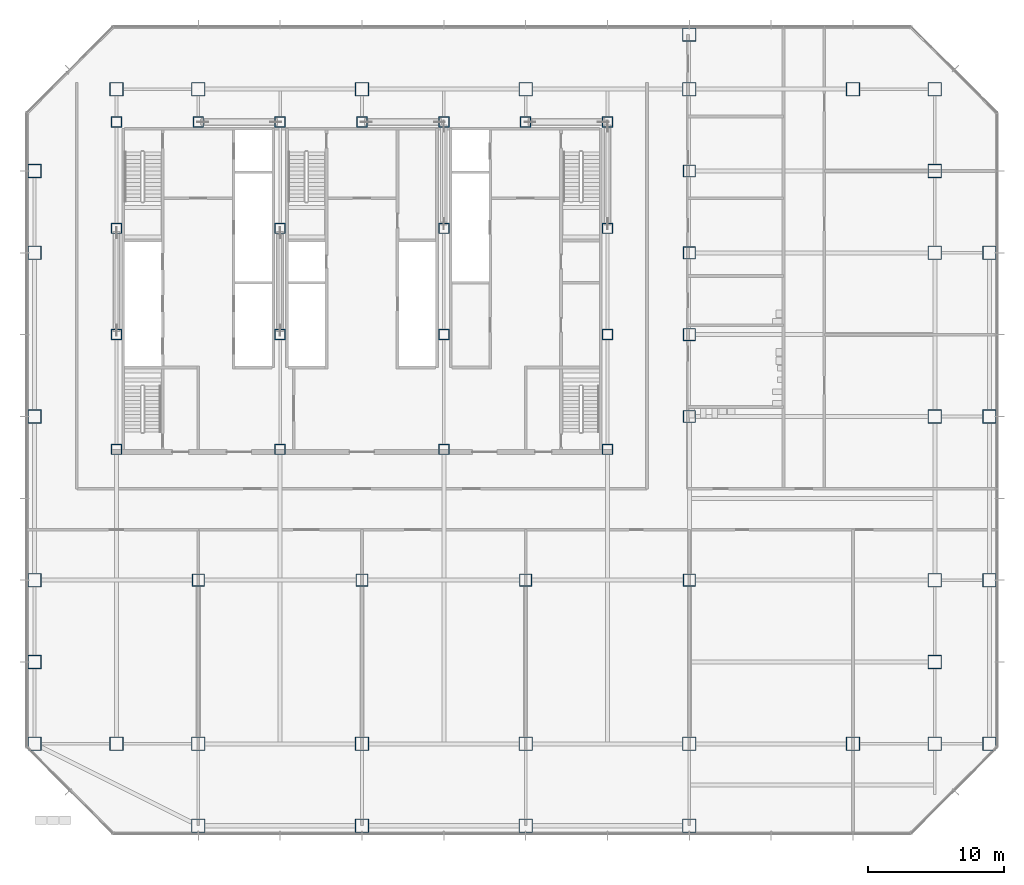
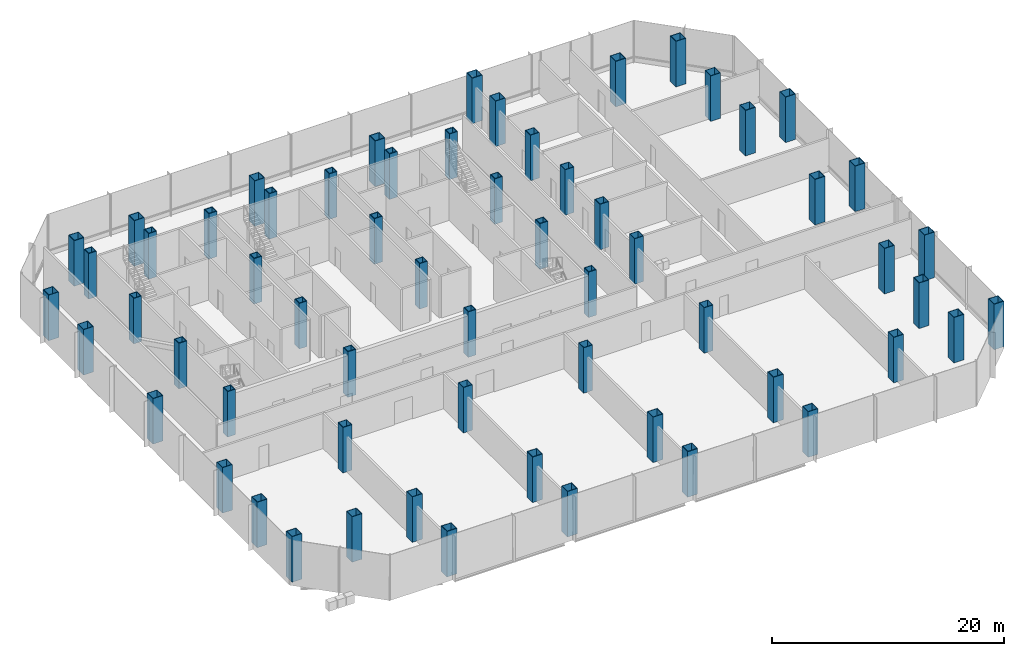
# One storey, part 1 of 33: 61 columns.
"""IFC4 building model written with IfcOpenShell, lengths in metres."""

from ifc_helpers import new_model, si_unit, direction, frame, origin, origin_2d, place, context, subcontext, project, spatial, hollow_rectangle, extrude, material, material_profile, profile_set, type_object, element, save


model = new_model("IFC4")

# Units and contexts
model_context = context("Model", 3, precision=1e-05, world=origin(), true_north=direction((0.0, 1.0)))
body_context = subcontext(model_context, "Body", "Model", "MODEL_VIEW")
ifc_project = project(units=[si_unit("LENGTHUNIT", "METRE"), si_unit("AREAUNIT", "SQUARE_METRE"), si_unit("VOLUMEUNIT", "CUBIC_METRE"), si_unit("PLANEANGLEUNIT", "RADIAN"), si_unit("MASSUNIT", "GRAM", prefix="KILO")], contexts=[model_context])

# Site, building, storey
site_placement = place(None, origin())
site = spatial("IfcSite", under=ifc_project, at=site_placement, CompositionType="ELEMENT")
building_placement = place(site_placement, origin())
building = spatial("IfcBuilding", under=site, at=building_placement, Name="Sorahane Residences", CompositionType="ELEMENT")
storey_placement = place(building_placement, frame((0.0, 0.0, 34.800048828125)))
storey = spatial("IfcBuildingStorey", under=building, at=storey_placement, Name="L05", CompositionType="ELEMENT", Elevation=34.800048828125)

# Columns
ifc_material_1 = material(Name="Steel Q420GJ", Category="steel")
ifc_material_profile_1 = material_profile(ifc_material_1, hollow_rectangle(XDim=1.0, YDim=1.0, WallThickness=0.050048828125, at=origin_2d()), Name="BOX 1000x1000x50")
ifc_profile_set_1 = profile_set([ifc_material_profile_1], Name="Steel Q420GJ")
column_type_1 = type_object("IfcColumnType", Name="Steel box column BOX 1000x1000x50 Q420GJ", PredefinedType="COLUMN", material=ifc_profile_set_1)
for number, where, z_axis, x_axis, name in (
    (1, (0.0, 0.0, 0.0), (0.0, 0.0, 1.0), (1.0, 0.0, 0.0), "Column L05 0/0"),
    (2, (0.0, 6.0, 0.0), (0.0, 0.0, 1.0), (1.0, 0.0, 0.0), "Column L05 m0/6"),
    (3, (0.0, 12.0, 0.0), (0.0, 0.0, 1.0), (1.0, 0.0, 0.0), "Column L05 m0/12"),
    (4, (0.0, 24.0, 0.0), (0.0, 0.0, 1.0), (1.0, 0.0, 0.0), "Column L05 m0/24"),
    (5, (0.0, 36.0, 0.0), (0.0, 0.0, 1.0), (1.0, 0.0, 0.0), "Column L05 m0/36"),
    (6, (0.0, 42.0, 0.0), (0.0, 0.0, 1.0), (1.0, 0.0, 0.0), "Column L05 m0/42"),
    (7, (6.0, 0.0, 0.0), (0.0, 0.0, 1.0), (1.0, 0.0, 0.0), "Column L05 6/0"),
    (8, (6.0, 48.0, 0.0), (0.0, 0.0, 1.0), (1.0, 0.0, 0.0), "Column L05 6/48"),
    (9, (12.0, -6.0, 0.0), (0.0, 0.0, 1.0), (1.0, 0.0, 0.0), "Column L05 12/m6"),
    (10, (12.0, 0.0, 0.0), (0.0, 0.0, 1.0), (1.0, 0.0, 0.0), "Column L05 12/0"),
    (11, (12.0, 48.0, 0.0), (0.0, 0.0, 1.0), (1.0, 0.0, 0.0), "Column L05 12/48"),
    (12, (24.0, -6.0, 0.0), (0.0, 0.0, 1.0), (1.0, 0.0, 0.0), "Column L05 24/m6"),
    (13, (24.0, 0.0, 0.0), (0.0, 0.0, 1.0), (1.0, 0.0, 0.0), "Column L05 24/0"),
    (14, (24.0, 48.0, 0.0), (0.0, 0.0, 1.0), (1.0, 0.0, 0.0), "Column L05 24/48"),
    (15, (36.0, -6.0, 0.0), (0.0, 0.0, 1.0), (1.0, 0.0, 0.0), "Column L05 36/m6"),
    (16, (36.0, 0.0, 0.0), (0.0, 0.0, 1.0), (1.0, 0.0, 0.0), "Column L05 36/0"),
    (17, (36.0, 48.0, 0.0), (0.0, 0.0, 1.0), (1.0, 0.0, 0.0), "Column L05 36/48"),
    (18, (48.0, -6.0, 0.0), (0.0, 0.0, 1.0), (1.0, 0.0, 0.0), "Column L05 48/m6"),
    (19, (48.0, 0.0, 0.0), (0.0, 0.0, 1.0), (1.0, 0.0, 0.0), "Column L05 48/0"),
    (20, (48.0, 48.0, 0.0), (0.0, 0.0, 1.0), (1.0, 0.0, 0.0), "Column L05 48/48"),
    (21, (48.0, 52.0, 0.0), (0.0, 0.0, 1.0), (1.0, 0.0, 0.0), "Column L05 48/52"),
    (22, (60.0, 0.0, 0.0), (0.0, 0.0, 1.0), (1.0, 0.0, 0.0), "Column L05 60/0"),
    (23, (60.0, 48.0, 0.0), (0.0, 0.0, 1.0), (1.0, 0.0, 0.0), "Column L05 60/48"),
    (24, (66.0, 0.0, 0.0), (0.0, 0.0, 1.0), (1.0, 0.0, 0.0), "Column L05 66/0"),
    (25, (66.0, 6.0, 0.0), (0.0, 0.0, 1.0), (1.0, 0.0, 0.0), "Column L05 66/6"),
    (26, (66.0, 12.0, 0.0), (0.0, 0.0, 1.0), (1.0, 0.0, 0.0), "Column L05 66/12"),
    (27, (66.0, 24.0, 0.0), (0.0, 0.0, 1.0), (1.0, 0.0, 0.0), "Column L05 66/24"),
    (28, (66.0, 36.0, 0.0), (0.0, 0.0, 1.0), (1.0, 0.0, 0.0), "Column L05 66/36"),
    (29, (66.0, 42.0, 0.0), (0.0, 0.0, 1.0), (1.0, 0.0, 0.0), "Column L05 66/42"),
    (30, (66.0, 48.0, 0.0), (0.0, 0.0, 1.0), (1.0, 0.0, 0.0), "Column L05 66/48"),
    (31, (70.0, 0.0, 0.0), (0.0, 0.0, 1.0), (1.0, 0.0, 0.0), "Column L05 70/0"),
    (32, (70.0, 12.0, 0.0), (0.0, 0.0, 1.0), (1.0, 0.0, 0.0), "Column L05 70/12"),
    (33, (70.0, 24.0, 0.0), (0.0, 0.0, 1.0), (1.0, 0.0, 0.0), "Column L05 70/24"),
    (34, (70.0, 36.0, 0.0), (0.0, 0.0, 1.0), (1.0, 0.0, 0.0), "Column L05 70/36"),
):
    element("IfcColumn", number, at=place(storey_placement, frame(where, z_axis=z_axis, x_axis=x_axis)), inside=storey, type_object=column_type_1, Name=name, PredefinedType="COLUMN", context=body_context, shape_type="SweptSolid", body=[
        extrude(hollow_rectangle(XDim=1.0, YDim=1.0, WallThickness=0.050048828125, at=origin_2d()), origin(), (0.0, 0.0, 1.0), 4.800048828125),
    ])
ifc_material_2 = material(Name="Steel Q420GJ", Category="steel")
ifc_material_profile_2 = material_profile(ifc_material_2, hollow_rectangle(XDim=0.800048828125, YDim=0.800048828125, WallThickness=0.070068359375, at=origin_2d()), Name="BOX 800x800x70")
ifc_profile_set_2 = profile_set([ifc_material_profile_2], Name="Steel Q420GJ")
column_type_2 = type_object("IfcColumnType", Name="Steel box column BOX 800x800x70 Q420GJ", PredefinedType="COLUMN", material=ifc_profile_set_2)
for number, where, z_axis, x_axis, name in (
    (35, (6.0, 21.60009765625, 0.0), (0.0, 0.0, 1.0), (1.0, 0.0, 0.0), "Column L05 6/21.6"),
    (36, (6.0, 30.0, 0.0), (0.0, 0.0, 1.0), (1.0, 0.0, 0.0), "Column L05 6/30"),
    (37, (6.0, 37.800048828125, 0.0), (0.0, 0.0, 1.0), (1.0, 0.0, 0.0), "Column L05 6/37.8"),
    (38, (6.0, 45.60009765625, 0.0), (0.0, 0.0, 1.0), (1.0, 0.0, 0.0), "Column L05 6/45.6"),
    (39, (12.0, 45.60009765625, 0.0), (0.0, 0.0, 1.0), (1.0, 0.0, 0.0), "Column L05 12/45.6"),
    (40, (18.0, 21.60009765625, 0.0), (0.0, 0.0, 1.0), (1.0, 0.0, 0.0), "Column L05 18/21.6"),
    (41, (18.0, 30.0, 0.0), (0.0, 0.0, 1.0), (1.0, 0.0, 0.0), "Column L05 18/30"),
    (42, (18.0, 37.800048828125, 0.0), (0.0, 0.0, 1.0), (1.0, 0.0, 0.0), "Column L05 18/37.8"),
    (43, (18.0, 45.60009765625, 0.0), (0.0, 0.0, 1.0), (1.0, 0.0, 0.0), "Column L05 18/45.6"),
    (44, (24.0, 45.60009765625, 0.0), (0.0, 0.0, 1.0), (1.0, 0.0, 0.0), "Column L05 24/45.6"),
    (45, (30.0, 21.60009765625, 0.0), (0.0, 0.0, 1.0), (1.0, 0.0, 0.0), "Column L05 30/21.6"),
    (46, (30.0, 30.0, 0.0), (0.0, 0.0, 1.0), (1.0, 0.0, 0.0), "Column L05 30/30"),
    (47, (30.0, 37.800048828125, 0.0), (0.0, 0.0, 1.0), (1.0, 0.0, 0.0), "Column L05 30/37.8"),
    (48, (30.0, 45.60009765625, 0.0), (0.0, 0.0, 1.0), (1.0, 0.0, 0.0), "Column L05 30/45.6"),
    (49, (36.0, 45.60009765625, 0.0), (0.0, 0.0, 1.0), (1.0, 0.0, 0.0), "Column L05 36/45.6"),
    (50, (42.0, 21.60009765625, 0.0), (0.0, 0.0, 1.0), (1.0, 0.0, 0.0), "Column L05 42/21.6"),
    (51, (42.0, 30.0, 0.0), (0.0, 0.0, 1.0), (1.0, 0.0, 0.0), "Column L05 42/30"),
    (52, (42.0, 37.800048828125, 0.0), (0.0, 0.0, 1.0), (1.0, 0.0, 0.0), "Column L05 42/37.8"),
    (53, (42.0, 45.60009765625, 0.0), (0.0, 0.0, 1.0), (1.0, 0.0, 0.0), "Column L05 42/45.6"),
):
    element("IfcColumn", number, at=place(storey_placement, frame(where, z_axis=z_axis, x_axis=x_axis)), inside=storey, type_object=column_type_2, Name=name, PredefinedType="COLUMN", context=body_context, shape_type="SweptSolid", body=[
        extrude(hollow_rectangle(XDim=0.800048828125, YDim=0.800048828125, WallThickness=0.070068359375, at=origin_2d()), origin(), (0.0, 0.0, 1.0), 4.800048828125),
    ])
ifc_material_3 = material(Name="Steel Q420GJ", Category="steel")
ifc_material_profile_3 = material_profile(ifc_material_3, hollow_rectangle(XDim=0.89990234375, YDim=0.89990234375, WallThickness=0.044921875, at=origin_2d()), Name="BOX 900x900x45")
ifc_profile_set_3 = profile_set([ifc_material_profile_3], Name="Steel Q420GJ")
column_type_3 = type_object("IfcColumnType", Name="Steel box column BOX 900x900x45 Q420GJ", PredefinedType="COLUMN", material=ifc_profile_set_3)
for number, where, z_axis, x_axis, name in (
    (54, (12.0, 12.0, 0.0), (0.0, 0.0, 1.0), (1.0, 0.0, 0.0), "Column L05 12/12"),
    (55, (24.0, 12.0, 0.0), (0.0, 0.0, 1.0), (1.0, 0.0, 0.0), "Column L05 24/12"),
    (56, (36.0, 12.0, 0.0), (0.0, 0.0, 1.0), (1.0, 0.0, 0.0), "Column L05 36/12"),
    (57, (48.0, 12.0, 0.0), (0.0, 0.0, 1.0), (1.0, 0.0, 0.0), "Column L05 48/12"),
    (58, (48.0, 24.0, 0.0), (0.0, 0.0, 1.0), (1.0, 0.0, 0.0), "Column L05 48/24"),
    (59, (48.0, 30.0, 0.0), (0.0, 0.0, 1.0), (1.0, 0.0, 0.0), "Column L05 48/30"),
    (60, (48.0, 36.0, 0.0), (0.0, 0.0, 1.0), (1.0, 0.0, 0.0), "Column L05 48/36"),
    (61, (48.0, 42.0, 0.0), (0.0, 0.0, 1.0), (1.0, 0.0, 0.0), "Column L05 48/42"),
):
    element("IfcColumn", number, at=place(storey_placement, frame(where, z_axis=z_axis, x_axis=x_axis)), inside=storey, type_object=column_type_3, Name=name, PredefinedType="COLUMN", context=body_context, shape_type="SweptSolid", body=[
        extrude(hollow_rectangle(XDim=0.89990234375, YDim=0.89990234375, WallThickness=0.044921875, at=origin_2d()), origin(), (0.0, 0.0, 1.0), 4.800048828125),
    ])

save(model, "model.ifc")
